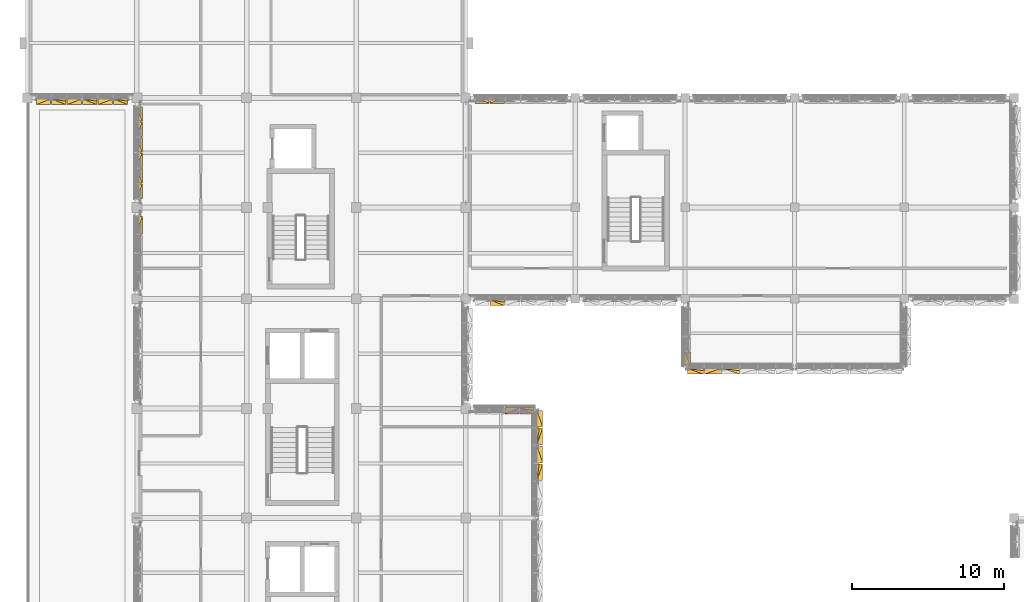
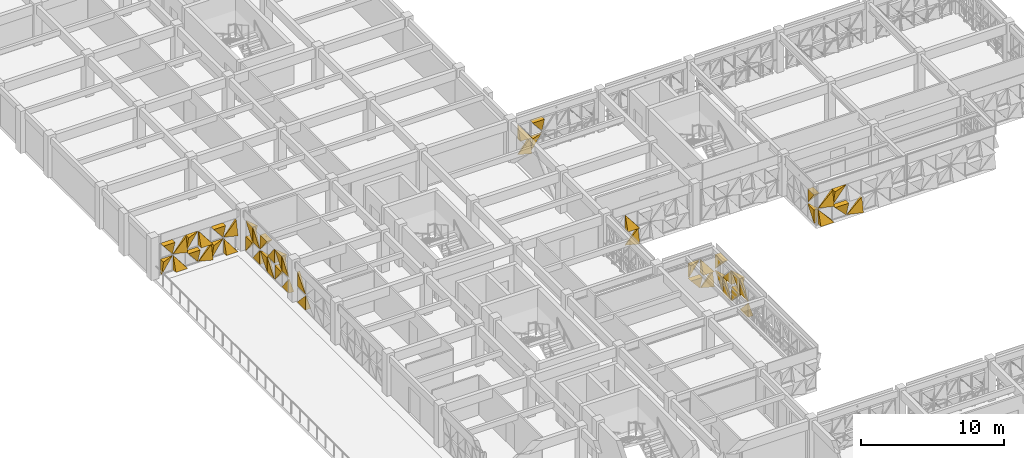
# One storey, part 81 of 85: 51 coverings.
"""IFC4 building model written with IfcOpenShell, lengths in metres."""

from ifc_helpers import new_model, si_unit, direction, frame, origin, place, context, subcontext, project, spatial, polygons, material, layer, layer_set, type_object, element, save


model = new_model("IFC4")

# Units and contexts
model_context = context("Model", 3, precision=1e-05, world=origin(), true_north=direction((0.0, 1.0)))
body_context = subcontext(model_context, "Body", "Model", "MODEL_VIEW")
ifc_project = project(units=[si_unit("LENGTHUNIT", "METRE"), si_unit("AREAUNIT", "SQUARE_METRE"), si_unit("VOLUMEUNIT", "CUBIC_METRE"), si_unit("PLANEANGLEUNIT", "RADIAN"), si_unit("MASSUNIT", "GRAM", prefix="KILO")], contexts=[model_context])

# Site, building, storey
site_placement = place(None, origin())
site = spatial("IfcSite", under=ifc_project, at=site_placement, CompositionType="ELEMENT")
building_placement = place(site_placement, origin())
building = spatial("IfcBuilding", under=site, at=building_placement, Name="Alvorim Cloister Faculty of Sciences", CompositionType="ELEMENT")
storey_placement = place(building_placement, frame((0.0, 0.0, 8.550048828125)))
storey = spatial("IfcBuildingStorey", under=building, at=storey_placement, Name="L02", CompositionType="ELEMENT", Elevation=8.550048828125)

# Coverings
ifc_material = material(Name="Perforated Bronze Alloy Sheet", Category="metal")
ifc_layer = layer(ifc_material, 0.0380859375)
ifc_layer_set = layer_set([ifc_layer], Name="Perforated Bronze Alloy Sheet")
covering_type = type_object("IfcCoveringType", Name="COV-TRI-BRZ", PredefinedType="CLADDING", material=ifc_layer_set)
covering_1_placement = place(storey_placement, frame((7.155029296875, 47.46240234375, 0.139892578125), z_axis=(0.0, 0.0, 1.0), x_axis=(0.0, 1.0, 0.0)))
element("IfcCovering", 1, at=covering_1_placement, inside=storey, type_object=covering_type, Name="Diagonal Solid Metal Triangle TRI-BL", PredefinedType="CLADDING", context=body_context, shape_type="Tessellation", body=[
    polygons([(0.0, 0.0260009765625, 0.0), (1.130568359375, 0.0260009765625, 0.0), (0.0, 0.0260009765625, 1.213087890625), (0.0, -0.4, 0.0), (1.130568359375, -0.4, 0.0), (0.0, -0.03, 1.213087890625)], [[[1, 3, 2]], [[4, 5, 6]], [[1, 2, 5, 4]], [[2, 3, 6, 5]], [[3, 1, 4, 6]]], closed=True),
])
covering_2_placement = place(storey_placement, frame((7.155029296875, 47.46240234375, 1.494873046875), z_axis=(0.0, 0.0, 1.0), x_axis=(0.0, 1.0, 0.0)))
element("IfcCovering", 2, at=covering_2_placement, inside=storey, type_object=covering_type, Name="Diagonal Solid Metal Triangle TRI-BR", PredefinedType="CLADDING", context=body_context, shape_type="Tessellation", body=[
    polygons([(0.002, 0.0260009765625, 0.0), (1.132568359375, 0.0260009765625, 0.0), (1.132568359375, 0.0260009765625, 1.213087890625), (0.002, -0.03, 0.0), (1.132568359375, -0.4, 0.0), (1.132568359375, -0.18000000000000002, 1.213087890625)], [[[1, 3, 2]], [[4, 5, 6]], [[1, 2, 5, 4]], [[2, 3, 6, 5]], [[3, 1, 4, 6]]], closed=True),
])
covering_3_placement = place(storey_placement, frame((7.155029296875, 49.804931640625, 0.139892578125), z_axis=(0.0, 0.0, 1.0), x_axis=(0.0, 1.0, 0.0)))
element("IfcCovering", 3, at=covering_3_placement, inside=storey, type_object=covering_type, Name="Diagonal Solid Metal Triangle TRI-BL", PredefinedType="CLADDING", context=body_context, shape_type="Tessellation", body=[
    polygons([(0.0, 0.0260009765625, 0.0), (0.920607421875, 0.0260009765625, 0.0), (0.0, 0.0260009765625, 1.213087890625), (0.0, -0.4, 0.0), (0.920607421875, -0.4, 0.0), (0.0, -0.03, 1.213087890625)], [[[1, 3, 2]], [[4, 5, 6]], [[1, 2, 5, 4]], [[2, 3, 6, 5]], [[3, 1, 4, 6]]], closed=True),
])
covering_4_placement = place(storey_placement, frame((7.155029296875, 49.804931640625, 1.494873046875), z_axis=(0.0, 0.0, 1.0), x_axis=(0.0, 1.0, 0.0)))
element("IfcCovering", 4, at=covering_4_placement, inside=storey, type_object=covering_type, Name="Diagonal Solid Metal Triangle TRI-BR", PredefinedType="CLADDING", context=body_context, shape_type="Tessellation", body=[
    polygons([(0.002, 0.0260009765625, 0.0), (0.922607421875, 0.0260009765625, 0.0), (0.922607421875, 0.0260009765625, 1.213087890625), (0.002, -0.03, 0.0), (0.922607421875, -0.4, 0.0), (0.922607421875, -0.18000000000000002, 1.213087890625)], [[[1, 3, 2]], [[4, 5, 6]], [[1, 2, 5, 4]], [[2, 3, 6, 5]], [[3, 1, 4, 6]]], closed=True),
])
covering_5_placement = place(storey_placement, frame((7.155029296875, 50.79248046875, 0.139892578125), z_axis=(0.0, 0.0, 1.0), x_axis=(0.0, 1.0, 0.0)))
element("IfcCovering", 5, at=covering_5_placement, inside=storey, type_object=covering_type, Name="Diagonal Solid Metal Triangle TRI-TR", PredefinedType="CLADDING", context=body_context, shape_type="Tessellation", body=[
    polygons([(0.955078125, 0.0260009765625, 0.002), (0.955078125, 0.0260009765625, 1.215087890625), (0.002, 0.0260009765625, 1.215087890625), (0.955078125, -0.03, 0.002), (0.955078125, -0.4, 1.215087890625), (0.002, -0.4, 1.215087890625)], [[[1, 3, 2]], [[4, 5, 6]], [[1, 2, 5, 4]], [[2, 3, 6, 5]], [[3, 1, 4, 6]]], closed=True),
])
covering_6_placement = place(storey_placement, frame((7.155029296875, 50.79248046875, 1.494873046875), z_axis=(0.0, 0.0, 1.0), x_axis=(0.0, 1.0, 0.0)))
element("IfcCovering", 6, at=covering_6_placement, inside=storey, type_object=covering_type, Name="Diagonal Solid Metal Triangle TRI-TL", PredefinedType="CLADDING", context=body_context, shape_type="Tessellation", body=[
    polygons([(0.953078125, 0.0260009765625, 1.215087890625), (0.0, 0.0260009765625, 1.215087890625), (0.0, 0.0260009765625, 0.002), (0.953078125, -0.03, 1.215087890625), (0.0, -0.4, 1.215087890625), (0.0, -0.13999999999999999, 0.002)], [[[1, 3, 2]], [[4, 5, 6]], [[1, 2, 5, 4]], [[2, 3, 6, 5]], [[3, 1, 4, 6]]], closed=True),
])
covering_7_placement = place(storey_placement, frame((7.155029296875, 51.8125, 0.139892578125), z_axis=(0.0, 0.0, 1.0), x_axis=(0.0, 1.0, 0.0)))
element("IfcCovering", 7, at=covering_7_placement, inside=storey, type_object=covering_type, Name="Diagonal Solid Metal Triangle TRI-BR", PredefinedType="CLADDING", context=body_context, shape_type="Tessellation", body=[
    polygons([(0.002, 0.0260009765625, 0.0), (0.955078125, 0.0260009765625, 0.0), (0.955078125, 0.0260009765625, 1.213087890625), (0.002, -0.03, 0.0), (0.955078125, -0.4, 0.0), (0.955078125, -0.18000000000000002, 1.213087890625)], [[[1, 3, 2]], [[4, 5, 6]], [[1, 2, 5, 4]], [[2, 3, 6, 5]], [[3, 1, 4, 6]]], closed=True),
])
covering_8_placement = place(storey_placement, frame((7.155029296875, 51.8125, 1.494873046875), z_axis=(0.0, 0.0, 1.0), x_axis=(0.0, 1.0, 0.0)))
element("IfcCovering", 8, at=covering_8_placement, inside=storey, type_object=covering_type, Name="Diagonal Solid Metal Triangle TRI-BL", PredefinedType="CLADDING", context=body_context, shape_type="Tessellation", body=[
    polygons([(0.0, 0.0260009765625, 0.0), (0.953078125, 0.0260009765625, 0.0), (0.0, 0.0260009765625, 1.213087890625), (0.0, -0.4, 0.0), (0.953078125, -0.4, 0.0), (0.0, -0.03, 1.213087890625)], [[[1, 3, 2]], [[4, 5, 6]], [[1, 2, 5, 4]], [[2, 3, 6, 5]], [[3, 1, 4, 6]]], closed=True),
])
covering_9_placement = place(storey_placement, frame((7.155029296875, 52.83251953125, 0.139892578125), z_axis=(0.0, 0.0, 1.0), x_axis=(0.0, 1.0, 0.0)))
element("IfcCovering", 9, at=covering_9_placement, inside=storey, type_object=covering_type, Name="Diagonal Solid Metal Triangle TRI-TL", PredefinedType="CLADDING", context=body_context, shape_type="Tessellation", body=[
    polygons([(0.953078125, 0.0260009765625, 1.215087890625), (0.0, 0.0260009765625, 1.215087890625), (0.0, 0.0260009765625, 0.002), (0.953078125, -0.03, 1.215087890625), (0.0, -0.4, 1.215087890625), (0.0, -0.13999999999999999, 0.002)], [[[1, 3, 2]], [[4, 5, 6]], [[1, 2, 5, 4]], [[2, 3, 6, 5]], [[3, 1, 4, 6]]], closed=True),
])
covering_10_placement = place(storey_placement, frame((7.155029296875, 52.83251953125, 1.494873046875), z_axis=(0.0, 0.0, 1.0), x_axis=(0.0, 1.0, 0.0)))
element("IfcCovering", 10, at=covering_10_placement, inside=storey, type_object=covering_type, Name="Diagonal Solid Metal Triangle TRI-TR", PredefinedType="CLADDING", context=body_context, shape_type="Tessellation", body=[
    polygons([(0.955078125, 0.0260009765625, 0.002), (0.955078125, 0.0260009765625, 1.215087890625), (0.002, 0.0260009765625, 1.215087890625), (0.955078125, -0.03, 0.002), (0.955078125, -0.4, 1.215087890625), (0.002, -0.4, 1.215087890625)], [[[1, 3, 2]], [[4, 5, 6]], [[1, 2, 5, 4]], [[2, 3, 6, 5]], [[3, 1, 4, 6]]], closed=True),
])
covering_11_placement = place(storey_placement, frame((7.155029296875, 53.8525390625, 0.139892578125), z_axis=(0.0, 0.0, 1.0), x_axis=(0.0, 1.0, 0.0)))
element("IfcCovering", 11, at=covering_11_placement, inside=storey, type_object=covering_type, Name="Diagonal Solid Metal Triangle TRI-BL", PredefinedType="CLADDING", context=body_context, shape_type="Tessellation", body=[
    polygons([(0.0, 0.0260009765625, 0.0), (0.953078125, 0.0260009765625, 0.0), (0.0, 0.0260009765625, 1.213087890625), (0.0, -0.4, 0.0), (0.953078125, -0.4, 0.0), (0.0, -0.03, 1.213087890625)], [[[1, 3, 2]], [[4, 5, 6]], [[1, 2, 5, 4]], [[2, 3, 6, 5]], [[3, 1, 4, 6]]], closed=True),
])
covering_12_placement = place(storey_placement, frame((7.155029296875, 53.8525390625, 1.494873046875), z_axis=(0.0, 0.0, 1.0), x_axis=(0.0, 1.0, 0.0)))
element("IfcCovering", 12, at=covering_12_placement, inside=storey, type_object=covering_type, Name="Diagonal Solid Metal Triangle TRI-BR", PredefinedType="CLADDING", context=body_context, shape_type="Tessellation", body=[
    polygons([(0.002, 0.0260009765625, 0.0), (0.955078125, 0.0260009765625, 0.0), (0.955078125, 0.0260009765625, 1.213087890625), (0.002, -0.03, 0.0), (0.955078125, -0.4, 0.0), (0.955078125, -0.18000000000000002, 1.213087890625)], [[[1, 3, 2]], [[4, 5, 6]], [[1, 2, 5, 4]], [[2, 3, 6, 5]], [[3, 1, 4, 6]]], closed=True),
])
covering_13_placement = place(storey_placement, frame((7.155029296875, 54.87255859375, 0.139892578125), z_axis=(0.0, 0.0, 1.0), x_axis=(0.0, 1.0, 0.0)))
element("IfcCovering", 13, at=covering_13_placement, inside=storey, type_object=covering_type, Name="Diagonal Solid Metal Triangle TRI-TR", PredefinedType="CLADDING", context=body_context, shape_type="Tessellation", body=[
    polygons([(0.922607421875, 0.0260009765625, 0.002), (0.922607421875, 0.0260009765625, 1.215087890625), (0.002, 0.0260009765625, 1.215087890625), (0.922607421875, -0.03, 0.002), (0.922607421875, -0.4, 1.215087890625), (0.002, -0.4, 1.215087890625)], [[[1, 3, 2]], [[4, 5, 6]], [[1, 2, 5, 4]], [[2, 3, 6, 5]], [[3, 1, 4, 6]]], closed=True),
])
for number, where, z_axis, x_axis, name in (
    (14, (7.155029296875, 54.87255859375, 1.494873046875), (0.0, 0.0, 1.0), (0.0, 1.0, 0.0), "Diagonal Solid Metal Triangle TRI-TL"),
    (15, (0.60498046875, 56.35498046875, 0.139892578125), (0.0, 0.0, 1.0), (1.0, 0.0, 0.0), "Diagonal Solid Metal Triangle TRI-TL"),
):
    element("IfcCovering", number, at=place(storey_placement, frame(where, z_axis=z_axis, x_axis=x_axis)), inside=storey, type_object=covering_type, Name=name, PredefinedType="CLADDING", context=body_context, shape_type="Tessellation", body=[
        polygons([(0.920607421875, 0.0260009765625, 1.215087890625), (0.0, 0.0260009765625, 1.215087890625), (0.0, 0.0260009765625, 0.002), (0.920607421875, -0.03, 1.215087890625), (0.0, -0.4, 1.215087890625), (0.0, -0.13999999999999999, 0.002)], [[[1, 3, 2]], [[4, 5, 6]], [[1, 2, 5, 4]], [[2, 3, 6, 5]], [[3, 1, 4, 6]]], closed=True),
    ])
covering_14_placement = place(storey_placement, frame((0.60498046875, 56.35498046875, 1.494873046875), z_axis=(0.0, 0.0, 1.0), x_axis=(1.0, 0.0, 0.0)))
element("IfcCovering", 16, at=covering_14_placement, inside=storey, type_object=covering_type, Name="Diagonal Solid Metal Triangle TRI-TR", PredefinedType="CLADDING", context=body_context, shape_type="Tessellation", body=[
    polygons([(0.922607421875, 0.0260009765625, 0.002), (0.922607421875, 0.0260009765625, 1.215087890625), (0.002, 0.0260009765625, 1.215087890625), (0.922607421875, -0.03, 0.002), (0.922607421875, -0.4, 1.215087890625), (0.002, -0.4, 1.215087890625)], [[[1, 3, 2]], [[4, 5, 6]], [[1, 2, 5, 4]], [[2, 3, 6, 5]], [[3, 1, 4, 6]]], closed=True),
])
covering_15_placement = place(storey_placement, frame((1.592529296875, 56.35498046875, 0.139892578125), z_axis=(0.0, 0.0, 1.0), x_axis=(1.0, 0.0, 0.0)))
element("IfcCovering", 17, at=covering_15_placement, inside=storey, type_object=covering_type, Name="Diagonal Solid Metal Triangle TRI-BL", PredefinedType="CLADDING", context=body_context, shape_type="Tessellation", body=[
    polygons([(0.0, 0.0260009765625, 0.0), (0.953078125, 0.0260009765625, 0.0), (0.0, 0.0260009765625, 1.213087890625), (0.0, -0.4, 0.0), (0.953078125, -0.4, 0.0), (0.0, -0.03, 1.213087890625)], [[[1, 3, 2]], [[4, 5, 6]], [[1, 2, 5, 4]], [[2, 3, 6, 5]], [[3, 1, 4, 6]]], closed=True),
])
covering_16_placement = place(storey_placement, frame((1.592529296875, 56.35498046875, 1.494873046875), z_axis=(0.0, 0.0, 1.0), x_axis=(1.0, 0.0, 0.0)))
element("IfcCovering", 18, at=covering_16_placement, inside=storey, type_object=covering_type, Name="Diagonal Solid Metal Triangle TRI-BR", PredefinedType="CLADDING", context=body_context, shape_type="Tessellation", body=[
    polygons([(0.002, 0.0260009765625, 0.0), (0.955078125, 0.0260009765625, 0.0), (0.955078125, 0.0260009765625, 1.213087890625), (0.002, -0.03, 0.0), (0.955078125, -0.4, 0.0), (0.955078125, -0.18000000000000002, 1.213087890625)], [[[1, 3, 2]], [[4, 5, 6]], [[1, 2, 5, 4]], [[2, 3, 6, 5]], [[3, 1, 4, 6]]], closed=True),
])
covering_17_placement = place(storey_placement, frame((2.612548828125, 56.35498046875, 0.139892578125), z_axis=(0.0, 0.0, 1.0), x_axis=(1.0, 0.0, 0.0)))
element("IfcCovering", 19, at=covering_17_placement, inside=storey, type_object=covering_type, Name="Diagonal Solid Metal Triangle TRI-TR", PredefinedType="CLADDING", context=body_context, shape_type="Tessellation", body=[
    polygons([(0.955078125, 0.0260009765625, 0.002), (0.955078125, 0.0260009765625, 1.215087890625), (0.002, 0.0260009765625, 1.215087890625), (0.955078125, -0.03, 0.002), (0.955078125, -0.4, 1.215087890625), (0.002, -0.4, 1.215087890625)], [[[1, 3, 2]], [[4, 5, 6]], [[1, 2, 5, 4]], [[2, 3, 6, 5]], [[3, 1, 4, 6]]], closed=True),
])
covering_18_placement = place(storey_placement, frame((2.612548828125, 56.35498046875, 1.494873046875), z_axis=(0.0, 0.0, 1.0), x_axis=(1.0, 0.0, 0.0)))
element("IfcCovering", 20, at=covering_18_placement, inside=storey, type_object=covering_type, Name="Diagonal Solid Metal Triangle TRI-TL", PredefinedType="CLADDING", context=body_context, shape_type="Tessellation", body=[
    polygons([(0.953078125, 0.0260009765625, 1.215087890625), (0.0, 0.0260009765625, 1.215087890625), (0.0, 0.0260009765625, 0.002), (0.953078125, -0.03, 1.215087890625), (0.0, -0.4, 1.215087890625), (0.0, -0.13999999999999999, 0.002)], [[[1, 3, 2]], [[4, 5, 6]], [[1, 2, 5, 4]], [[2, 3, 6, 5]], [[3, 1, 4, 6]]], closed=True),
])
covering_19_placement = place(storey_placement, frame((3.632568359375, 56.35498046875, 0.139892578125), z_axis=(0.0, 0.0, 1.0), x_axis=(1.0, 0.0, 0.0)))
element("IfcCovering", 21, at=covering_19_placement, inside=storey, type_object=covering_type, Name="Diagonal Solid Metal Triangle TRI-BR", PredefinedType="CLADDING", context=body_context, shape_type="Tessellation", body=[
    polygons([(0.002, 0.0260009765625, 0.0), (0.955078125, 0.0260009765625, 0.0), (0.955078125, 0.0260009765625, 1.213087890625), (0.002, -0.03, 0.0), (0.955078125, -0.4, 0.0), (0.955078125, -0.18000000000000002, 1.213087890625)], [[[1, 3, 2]], [[4, 5, 6]], [[1, 2, 5, 4]], [[2, 3, 6, 5]], [[3, 1, 4, 6]]], closed=True),
])
covering_20_placement = place(storey_placement, frame((3.632568359375, 56.35498046875, 1.494873046875), z_axis=(0.0, 0.0, 1.0), x_axis=(1.0, 0.0, 0.0)))
element("IfcCovering", 22, at=covering_20_placement, inside=storey, type_object=covering_type, Name="Diagonal Solid Metal Triangle TRI-BL", PredefinedType="CLADDING", context=body_context, shape_type="Tessellation", body=[
    polygons([(0.0, 0.0260009765625, 0.0), (0.953078125, 0.0260009765625, 0.0), (0.0, 0.0260009765625, 1.213087890625), (0.0, -0.4, 0.0), (0.953078125, -0.4, 0.0), (0.0, -0.03, 1.213087890625)], [[[1, 3, 2]], [[4, 5, 6]], [[1, 2, 5, 4]], [[2, 3, 6, 5]], [[3, 1, 4, 6]]], closed=True),
])
covering_21_placement = place(storey_placement, frame((4.652587890625, 56.35498046875, 0.139892578125), z_axis=(0.0, 0.0, 1.0), x_axis=(1.0, 0.0, 0.0)))
element("IfcCovering", 23, at=covering_21_placement, inside=storey, type_object=covering_type, Name="Diagonal Solid Metal Triangle TRI-TL", PredefinedType="CLADDING", context=body_context, shape_type="Tessellation", body=[
    polygons([(0.953078125, 0.0260009765625, 1.215087890625), (0.0, 0.0260009765625, 1.215087890625), (0.0, 0.0260009765625, 0.002), (0.953078125, -0.03, 1.215087890625), (0.0, -0.4, 1.215087890625), (0.0, -0.13999999999999999, 0.002)], [[[1, 3, 2]], [[4, 5, 6]], [[1, 2, 5, 4]], [[2, 3, 6, 5]], [[3, 1, 4, 6]]], closed=True),
])
covering_22_placement = place(storey_placement, frame((4.652587890625, 56.35498046875, 1.494873046875), z_axis=(0.0, 0.0, 1.0), x_axis=(1.0, 0.0, 0.0)))
element("IfcCovering", 24, at=covering_22_placement, inside=storey, type_object=covering_type, Name="Diagonal Solid Metal Triangle TRI-TR", PredefinedType="CLADDING", context=body_context, shape_type="Tessellation", body=[
    polygons([(0.955078125, 0.0260009765625, 0.002), (0.955078125, 0.0260009765625, 1.215087890625), (0.002, 0.0260009765625, 1.215087890625), (0.955078125, -0.03, 0.002), (0.955078125, -0.4, 1.215087890625), (0.002, -0.4, 1.215087890625)], [[[1, 3, 2]], [[4, 5, 6]], [[1, 2, 5, 4]], [[2, 3, 6, 5]], [[3, 1, 4, 6]]], closed=True),
])
covering_23_placement = place(storey_placement, frame((5.672607421875, 56.35498046875, 0.139892578125), z_axis=(0.0, 0.0, 1.0), x_axis=(1.0, 0.0, 0.0)))
element("IfcCovering", 25, at=covering_23_placement, inside=storey, type_object=covering_type, Name="Diagonal Solid Metal Triangle TRI-BL", PredefinedType="CLADDING", context=body_context, shape_type="Tessellation", body=[
    polygons([(0.0, 0.0260009765625, 0.0), (0.920607421875, 0.0260009765625, 0.0), (0.0, 0.0260009765625, 1.213087890625), (0.0, -0.4, 0.0), (0.920607421875, -0.4, 0.0), (0.0, -0.03, 1.213087890625)], [[[1, 3, 2]], [[4, 5, 6]], [[1, 2, 5, 4]], [[2, 3, 6, 5]], [[3, 1, 4, 6]]], closed=True),
])
for number, where, z_axis, x_axis, name in (
    (26, (5.672607421875, 56.35498046875, 1.494873046875), (0.0, 0.0, 1.0), (1.0, 0.0, 0.0), "Diagonal Solid Metal Triangle TRI-BR"),
    (27, (29.405029296875, 56.445068359375, 0.139892578125), (0.0, 0.0, 1.0), (1.0, 0.0, 0.0), "Diagonal Solid Metal Triangle TRI-BR"),
):
    element("IfcCovering", number, at=place(storey_placement, frame(where, z_axis=z_axis, x_axis=x_axis)), inside=storey, type_object=covering_type, Name=name, PredefinedType="CLADDING", context=body_context, shape_type="Tessellation", body=[
        polygons([(0.002, 0.0260009765625, 0.0), (0.922607421875, 0.0260009765625, 0.0), (0.922607421875, 0.0260009765625, 1.213087890625), (0.002, -0.03, 0.0), (0.922607421875, -0.4, 0.0), (0.922607421875, -0.18000000000000002, 1.213087890625)], [[[1, 3, 2]], [[4, 5, 6]], [[1, 2, 5, 4]], [[2, 3, 6, 5]], [[3, 1, 4, 6]]], closed=True),
    ])
covering_24_placement = place(storey_placement, frame((29.405029296875, 56.445068359375, 1.494873046875), z_axis=(0.0, 0.0, 1.0), x_axis=(1.0, 0.0, 0.0)))
element("IfcCovering", 28, at=covering_24_placement, inside=storey, type_object=covering_type, Name="Diagonal Solid Metal Triangle TRI-BL", PredefinedType="CLADDING", context=body_context, shape_type="Tessellation", body=[
    polygons([(0.0, 0.0260009765625, 0.0), (0.920607421875, 0.0260009765625, 0.0), (0.0, 0.0260009765625, 1.213087890625), (0.0, -0.4, 0.0), (0.920607421875, -0.4, 0.0), (0.0, -0.03, 1.213087890625)], [[[1, 3, 2]], [[4, 5, 6]], [[1, 2, 5, 4]], [[2, 3, 6, 5]], [[3, 1, 4, 6]]], closed=True),
])
covering_25_placement = place(storey_placement, frame((30.392578125, 56.445068359375, 0.139892578125), z_axis=(0.0, 0.0, 1.0), x_axis=(1.0, 0.0, 0.0)))
element("IfcCovering", 29, at=covering_25_placement, inside=storey, type_object=covering_type, Name="Diagonal Solid Metal Triangle TRI-TL", PredefinedType="CLADDING", context=body_context, shape_type="Tessellation", body=[
    polygons([(0.953078125, 0.0260009765625, 1.215087890625), (0.0, 0.0260009765625, 1.215087890625), (0.0, 0.0260009765625, 0.002), (0.953078125, -0.03, 1.215087890625), (0.0, -0.4, 1.215087890625), (0.0, -0.13999999999999999, 0.002)], [[[1, 3, 2]], [[4, 5, 6]], [[1, 2, 5, 4]], [[2, 3, 6, 5]], [[3, 1, 4, 6]]], closed=True),
])
covering_26_placement = place(storey_placement, frame((30.392578125, 56.445068359375, 1.494873046875), z_axis=(0.0, 0.0, 1.0), x_axis=(1.0, 0.0, 0.0)))
element("IfcCovering", 30, at=covering_26_placement, inside=storey, type_object=covering_type, Name="Diagonal Solid Metal Triangle TRI-TR", PredefinedType="CLADDING", context=body_context, shape_type="Tessellation", body=[
    polygons([(0.955078125, 0.0260009765625, 0.002), (0.955078125, 0.0260009765625, 1.215087890625), (0.002, 0.0260009765625, 1.215087890625), (0.955078125, -0.03, 0.002), (0.955078125, -0.4, 1.215087890625), (0.002, -0.4, 1.215087890625)], [[[1, 3, 2]], [[4, 5, 6]], [[1, 2, 5, 4]], [[2, 3, 6, 5]], [[3, 1, 4, 6]]], closed=True),
])
covering_27_placement = place(storey_placement, frame((43.344970703125, 38.655029296875, 0.139892578125), z_axis=(0.0, 0.0, 1.0), x_axis=(1.0, 0.0, 0.0)))
element("IfcCovering", 31, at=covering_27_placement, inside=storey, type_object=covering_type, Name="Diagonal Solid Metal Triangle TRI-BL", PredefinedType="CLADDING", context=body_context, shape_type="Tessellation", body=[
    polygons([(0.0, 0.0260009765625, 0.0), (1.073927734375, 0.0260009765625, 0.0), (0.0, 0.0260009765625, 1.216505859375), (0.0, -0.4, 0.0), (1.073927734375, -0.4, 0.0), (0.0, -0.03, 1.216505859375)], [[[1, 3, 2]], [[4, 5, 6]], [[1, 2, 5, 4]], [[2, 3, 6, 5]], [[3, 1, 4, 6]]], closed=True),
])
covering_28_placement = place(storey_placement, frame((43.344970703125, 38.655029296875, 1.49853515625), z_axis=(0.0, 0.0, 1.0), x_axis=(1.0, 0.0, 0.0)))
element("IfcCovering", 32, at=covering_28_placement, inside=storey, type_object=covering_type, Name="Diagonal Solid Metal Triangle TRI-BR", PredefinedType="CLADDING", context=body_context, shape_type="Tessellation", body=[
    polygons([(0.002, 0.0260009765625, 0.0), (1.075927734375, 0.0260009765625, 0.0), (1.075927734375, 0.0260009765625, 1.216505859375), (0.002, -0.03, 0.0), (1.075927734375, -0.4, 0.0), (1.075927734375, -0.18000000000000002, 1.216505859375)], [[[1, 3, 2]], [[4, 5, 6]], [[1, 2, 5, 4]], [[2, 3, 6, 5]], [[3, 1, 4, 6]]], closed=True),
])
covering_29_placement = place(storey_placement, frame((44.48583984375, 38.655029296875, 0.139892578125), z_axis=(0.0, 0.0, 1.0), x_axis=(1.0, 0.0, 0.0)))
element("IfcCovering", 33, at=covering_29_placement, inside=storey, type_object=covering_type, Name="Diagonal Solid Metal Triangle TRI-TR", PredefinedType="CLADDING", context=body_context, shape_type="Tessellation", body=[
    polygons([(1.1083984375, 0.0260009765625, 0.002), (1.1083984375, 0.0260009765625, 1.218505859375), (0.002, 0.0260009765625, 1.218505859375), (1.1083984375, -0.03, 0.002), (1.1083984375, -0.4, 1.218505859375), (0.002, -0.4, 1.218505859375)], [[[1, 3, 2]], [[4, 5, 6]], [[1, 2, 5, 4]], [[2, 3, 6, 5]], [[3, 1, 4, 6]]], closed=True),
])
covering_30_placement = place(storey_placement, frame((44.48583984375, 38.655029296875, 1.49853515625), z_axis=(0.0, 0.0, 1.0), x_axis=(1.0, 0.0, 0.0)))
element("IfcCovering", 34, at=covering_30_placement, inside=storey, type_object=covering_type, Name="Diagonal Solid Metal Triangle TRI-TL", PredefinedType="CLADDING", context=body_context, shape_type="Tessellation", body=[
    polygons([(1.1063984375, 0.0260009765625, 1.218505859375), (0.0, 0.0260009765625, 1.218505859375), (0.0, 0.0260009765625, 0.002), (1.1063984375, -0.03, 1.218505859375), (0.0, -0.4, 1.218505859375), (0.0, -0.13999999999999999, 0.002)], [[[1, 3, 2]], [[4, 5, 6]], [[1, 2, 5, 4]], [[2, 3, 6, 5]], [[3, 1, 4, 6]]], closed=True),
])
covering_31_placement = place(storey_placement, frame((45.6591796875, 38.655029296875, 0.139892578125), z_axis=(0.0, 0.0, 1.0), x_axis=(1.0, 0.0, 0.0)))
element("IfcCovering", 35, at=covering_31_placement, inside=storey, type_object=covering_type, Name="Diagonal Solid Metal Triangle TRI-BR", PredefinedType="CLADDING", context=body_context, shape_type="Tessellation", body=[
    polygons([(0.002, 0.0260009765625, 0.0), (1.1083984375, 0.0260009765625, 0.0), (1.1083984375, 0.0260009765625, 1.216505859375), (0.002, -0.03, 0.0), (1.1083984375, -0.4, 0.0), (1.1083984375, -0.18000000000000002, 1.216505859375)], [[[1, 3, 2]], [[4, 5, 6]], [[1, 2, 5, 4]], [[2, 3, 6, 5]], [[3, 1, 4, 6]]], closed=True),
])
covering_32_placement = place(storey_placement, frame((43.155029296875, 38.844970703125, 0.139892578125), z_axis=(0.0, 0.0, 1.0), x_axis=(0.0, 1.0, 0.0)))
element("IfcCovering", 36, at=covering_32_placement, inside=storey, type_object=covering_type, Name="Diagonal Solid Metal Triangle TRI-TL", PredefinedType="CLADDING", context=body_context, shape_type="Tessellation", body=[
    polygons([(0.87055859375, 0.0260009765625, 1.14306640625), (0.0, 0.0260009765625, 1.14306640625), (0.0, 0.0260009765625, 0.002), (0.87055859375, -0.03, 1.14306640625), (0.0, -0.4, 1.14306640625), (0.0, -0.13999999999999999, 0.002)], [[[1, 3, 2]], [[4, 5, 6]], [[1, 2, 5, 4]], [[2, 3, 6, 5]], [[3, 1, 4, 6]]], closed=True),
])
covering_33_placement = place(storey_placement, frame((43.155029296875, 38.844970703125, 1.4228515625), z_axis=(0.0, 0.0, 1.0), x_axis=(0.0, 1.0, 0.0)))
element("IfcCovering", 37, at=covering_33_placement, inside=storey, type_object=covering_type, Name="Diagonal Solid Metal Triangle TRI-TR", PredefinedType="CLADDING", context=body_context, shape_type="Tessellation", body=[
    polygons([(0.87255859375, 0.0260009765625, 0.002), (0.87255859375, 0.0260009765625, 1.14306640625), (0.002, 0.0260009765625, 1.14306640625), (0.87255859375, -0.03, 0.002), (0.87255859375, -0.4, 1.14306640625), (0.002, -0.4, 1.14306640625)], [[[1, 3, 2]], [[4, 5, 6]], [[1, 2, 5, 4]], [[2, 3, 6, 5]], [[3, 1, 4, 6]]], closed=True),
])
covering_34_placement = place(storey_placement, frame((30.392578125, 43.155029296875, 0.139892578125), z_axis=(0.0, 0.0, 1.0), x_axis=(1.0, 0.0, 0.0)))
element("IfcCovering", 38, at=covering_34_placement, inside=storey, type_object=covering_type, Name="Diagonal Solid Metal Triangle TRI-BR", PredefinedType="CLADDING", context=body_context, shape_type="Tessellation", body=[
    polygons([(0.002, 0.0260009765625, 0.0), (0.955078125, 0.0260009765625, 0.0), (0.955078125, 0.0260009765625, 1.213087890625), (0.002, -0.03, 0.0), (0.955078125, -0.4, 0.0), (0.955078125, -0.18000000000000002, 1.213087890625)], [[[1, 3, 2]], [[4, 5, 6]], [[1, 2, 5, 4]], [[2, 3, 6, 5]], [[3, 1, 4, 6]]], closed=True),
])
covering_35_placement = place(storey_placement, frame((30.392578125, 43.155029296875, 1.494873046875), z_axis=(0.0, 0.0, 1.0), x_axis=(1.0, 0.0, 0.0)))
element("IfcCovering", 39, at=covering_35_placement, inside=storey, type_object=covering_type, Name="Diagonal Solid Metal Triangle TRI-BL", PredefinedType="CLADDING", context=body_context, shape_type="Tessellation", body=[
    polygons([(0.0, 0.0260009765625, 0.0), (0.953078125, 0.0260009765625, 0.0), (0.0, 0.0260009765625, 1.213087890625), (0.0, -0.4, 0.0), (0.953078125, -0.4, 0.0), (0.0, -0.03, 1.213087890625)], [[[1, 3, 2]], [[4, 5, 6]], [[1, 2, 5, 4]], [[2, 3, 6, 5]], [[3, 1, 4, 6]]], closed=True),
])
covering_36_placement = place(storey_placement, frame((31.362548828125, 36.044921875, 0.139892578125), z_axis=(0.0, 0.0, 1.0), x_axis=(1.0, 0.0, 0.0)))
element("IfcCovering", 40, at=covering_36_placement, inside=storey, type_object=covering_type, Name="Diagonal Solid Metal Triangle TRI-TR", PredefinedType="CLADDING", context=body_context, shape_type="Tessellation", body=[
    polygons([(0.929931640625, 0.0260009765625, 0.002), (0.929931640625, 0.0260009765625, 1.14306640625), (0.002, 0.0260009765625, 1.14306640625), (0.929931640625, -0.03, 0.002), (0.929931640625, -0.4, 1.14306640625), (0.002, -0.4, 1.14306640625)], [[[1, 3, 2]], [[4, 5, 6]], [[1, 2, 5, 4]], [[2, 3, 6, 5]], [[3, 1, 4, 6]]], closed=True),
])
covering_37_placement = place(storey_placement, frame((31.362548828125, 36.044921875, 1.4228515625), z_axis=(0.0, 0.0, 1.0), x_axis=(1.0, 0.0, 0.0)))
element("IfcCovering", 41, at=covering_37_placement, inside=storey, type_object=covering_type, Name="Diagonal Solid Metal Triangle TRI-TL", PredefinedType="CLADDING", context=body_context, shape_type="Tessellation", body=[
    polygons([(0.927931640625, 0.0260009765625, 1.14306640625), (0.0, 0.0260009765625, 1.14306640625), (0.0, 0.0260009765625, 0.002), (0.927931640625, -0.03, 1.14306640625), (0.0, -0.4, 1.14306640625), (0.0, -0.13999999999999999, 0.002)], [[[1, 3, 2]], [[4, 5, 6]], [[1, 2, 5, 4]], [[2, 3, 6, 5]], [[3, 1, 4, 6]]], closed=True),
])
covering_38_placement = place(storey_placement, frame((32.357421875, 36.044921875, 0.139892578125), z_axis=(0.0, 0.0, 1.0), x_axis=(1.0, 0.0, 0.0)))
element("IfcCovering", 42, at=covering_38_placement, inside=storey, type_object=covering_type, Name="Diagonal Solid Metal Triangle TRI-BR", PredefinedType="CLADDING", context=body_context, shape_type="Tessellation", body=[
    polygons([(0.002, 0.0260009765625, 0.0), (0.8974609375, 0.0260009765625, 0.0), (0.8974609375, 0.0260009765625, 1.14106640625), (0.002, -0.03, 0.0), (0.8974609375, -0.4, 0.0), (0.8974609375, -0.18000000000000002, 1.14106640625)], [[[1, 3, 2]], [[4, 5, 6]], [[1, 2, 5, 4]], [[2, 3, 6, 5]], [[3, 1, 4, 6]]], closed=True),
])
covering_39_placement = place(storey_placement, frame((32.357421875, 36.044921875, 1.4228515625), z_axis=(0.0, 0.0, 1.0), x_axis=(1.0, 0.0, 0.0)))
element("IfcCovering", 43, at=covering_39_placement, inside=storey, type_object=covering_type, Name="Diagonal Solid Metal Triangle TRI-BL", PredefinedType="CLADDING", context=body_context, shape_type="Tessellation", body=[
    polygons([(0.0, 0.0260009765625, 0.0), (0.8954609375, 0.0260009765625, 0.0), (0.0, 0.0260009765625, 1.14106640625), (0.0, -0.4, 0.0), (0.8954609375, -0.4, 0.0), (0.0, -0.03, 1.14106640625)], [[[1, 3, 2]], [[4, 5, 6]], [[1, 2, 5, 4]], [[2, 3, 6, 5]], [[3, 1, 4, 6]]], closed=True),
])
covering_40_placement = place(storey_placement, frame((33.445068359375, 31.25927734375, 0.139892578125), z_axis=(0.0, 0.0, 1.0), x_axis=(0.0, 1.0, 0.0)))
element("IfcCovering", 44, at=covering_40_placement, inside=storey, type_object=covering_type, Name="Diagonal Solid Metal Triangle TRI-BL", PredefinedType="CLADDING", context=body_context, shape_type="Tessellation", body=[
    polygons([(0.0, 0.0260009765625, 0.0), (1.1063984375, 0.0260009765625, 0.0), (0.0, 0.0260009765625, 1.216505859375), (0.0, -0.4, 0.0), (1.1063984375, -0.4, 0.0), (0.0, -0.03, 1.216505859375)], [[[1, 3, 2]], [[4, 5, 6]], [[1, 2, 5, 4]], [[2, 3, 6, 5]], [[3, 1, 4, 6]]], closed=True),
])
covering_41_placement = place(storey_placement, frame((33.445068359375, 31.25927734375, 1.49853515625), z_axis=(0.0, 0.0, 1.0), x_axis=(0.0, 1.0, 0.0)))
element("IfcCovering", 45, at=covering_41_placement, inside=storey, type_object=covering_type, Name="Diagonal Solid Metal Triangle TRI-BR", PredefinedType="CLADDING", context=body_context, shape_type="Tessellation", body=[
    polygons([(0.002, 0.0260009765625, 0.0), (1.1083984375, 0.0260009765625, 0.0), (1.1083984375, 0.0260009765625, 1.216505859375), (0.002, -0.03, 0.0), (1.1083984375, -0.4, 0.0), (1.1083984375, -0.18000000000000002, 1.216505859375)], [[[1, 3, 2]], [[4, 5, 6]], [[1, 2, 5, 4]], [[2, 3, 6, 5]], [[3, 1, 4, 6]]], closed=True),
])
covering_42_placement = place(storey_placement, frame((33.445068359375, 32.4326171875, 0.139892578125), z_axis=(0.0, 0.0, 1.0), x_axis=(0.0, 1.0, 0.0)))
element("IfcCovering", 46, at=covering_42_placement, inside=storey, type_object=covering_type, Name="Diagonal Solid Metal Triangle TRI-TR", PredefinedType="CLADDING", context=body_context, shape_type="Tessellation", body=[
    polygons([(1.1083984375, 0.0260009765625, 0.002), (1.1083984375, 0.0260009765625, 1.218505859375), (0.002, 0.0260009765625, 1.218505859375), (1.1083984375, -0.03, 0.002), (1.1083984375, -0.4, 1.218505859375), (0.002, -0.4, 1.218505859375)], [[[1, 3, 2]], [[4, 5, 6]], [[1, 2, 5, 4]], [[2, 3, 6, 5]], [[3, 1, 4, 6]]], closed=True),
])
covering_43_placement = place(storey_placement, frame((33.445068359375, 32.4326171875, 1.49853515625), z_axis=(0.0, 0.0, 1.0), x_axis=(0.0, 1.0, 0.0)))
element("IfcCovering", 47, at=covering_43_placement, inside=storey, type_object=covering_type, Name="Diagonal Solid Metal Triangle TRI-TL", PredefinedType="CLADDING", context=body_context, shape_type="Tessellation", body=[
    polygons([(1.1063984375, 0.0260009765625, 1.218505859375), (0.0, 0.0260009765625, 1.218505859375), (0.0, 0.0260009765625, 0.002), (1.1063984375, -0.03, 1.218505859375), (0.0, -0.4, 1.218505859375), (0.0, -0.13999999999999999, 0.002)], [[[1, 3, 2]], [[4, 5, 6]], [[1, 2, 5, 4]], [[2, 3, 6, 5]], [[3, 1, 4, 6]]], closed=True),
])
covering_44_placement = place(storey_placement, frame((33.445068359375, 33.605712890625, 0.139892578125), z_axis=(0.0, 0.0, 1.0), x_axis=(0.0, 1.0, 0.0)))
element("IfcCovering", 48, at=covering_44_placement, inside=storey, type_object=covering_type, Name="Diagonal Solid Metal Triangle TRI-BR", PredefinedType="CLADDING", context=body_context, shape_type="Tessellation", body=[
    polygons([(0.002, 0.0260009765625, 0.0), (1.1083984375, 0.0260009765625, 0.0), (1.1083984375, 0.0260009765625, 1.216505859375), (0.002, -0.03, 0.0), (1.1083984375, -0.4, 0.0), (1.1083984375, -0.18000000000000002, 1.216505859375)], [[[1, 3, 2]], [[4, 5, 6]], [[1, 2, 5, 4]], [[2, 3, 6, 5]], [[3, 1, 4, 6]]], closed=True),
])
covering_45_placement = place(storey_placement, frame((33.445068359375, 33.605712890625, 1.49853515625), z_axis=(0.0, 0.0, 1.0), x_axis=(0.0, 1.0, 0.0)))
element("IfcCovering", 49, at=covering_45_placement, inside=storey, type_object=covering_type, Name="Diagonal Solid Metal Triangle TRI-BL", PredefinedType="CLADDING", context=body_context, shape_type="Tessellation", body=[
    polygons([(0.0, 0.0260009765625, 0.0), (1.1063984375, 0.0260009765625, 0.0), (0.0, 0.0260009765625, 1.216505859375), (0.0, -0.4, 0.0), (1.1063984375, -0.4, 0.0), (0.0, -0.03, 1.216505859375)], [[[1, 3, 2]], [[4, 5, 6]], [[1, 2, 5, 4]], [[2, 3, 6, 5]], [[3, 1, 4, 6]]], closed=True),
])
covering_46_placement = place(storey_placement, frame((33.445068359375, 34.779052734375, 0.139892578125), z_axis=(0.0, 0.0, 1.0), x_axis=(0.0, 1.0, 0.0)))
element("IfcCovering", 50, at=covering_46_placement, inside=storey, type_object=covering_type, Name="Diagonal Solid Metal Triangle TRI-TL", PredefinedType="CLADDING", context=body_context, shape_type="Tessellation", body=[
    polygons([(1.073927734375, 0.0260009765625, 1.218505859375), (0.0, 0.0260009765625, 1.218505859375), (0.0, 0.0260009765625, 0.002), (1.073927734375, -0.03, 1.218505859375), (0.0, -0.4, 1.218505859375), (0.0, -0.13999999999999999, 0.002)], [[[1, 3, 2]], [[4, 5, 6]], [[1, 2, 5, 4]], [[2, 3, 6, 5]], [[3, 1, 4, 6]]], closed=True),
])
covering_47_placement = place(storey_placement, frame((33.445068359375, 34.779052734375, 1.49853515625), z_axis=(0.0, 0.0, 1.0), x_axis=(0.0, 1.0, 0.0)))
element("IfcCovering", 51, at=covering_47_placement, inside=storey, type_object=covering_type, Name="Diagonal Solid Metal Triangle TRI-TR", PredefinedType="CLADDING", context=body_context, shape_type="Tessellation", body=[
    polygons([(1.075927734375, 0.0260009765625, 0.002), (1.075927734375, 0.0260009765625, 1.218505859375), (0.002, 0.0260009765625, 1.218505859375), (1.075927734375, -0.03, 0.002), (1.075927734375, -0.4, 1.218505859375), (0.002, -0.4, 1.218505859375)], [[[1, 3, 2]], [[4, 5, 6]], [[1, 2, 5, 4]], [[2, 3, 6, 5]], [[3, 1, 4, 6]]], closed=True),
])

save(model, "model.ifc")
